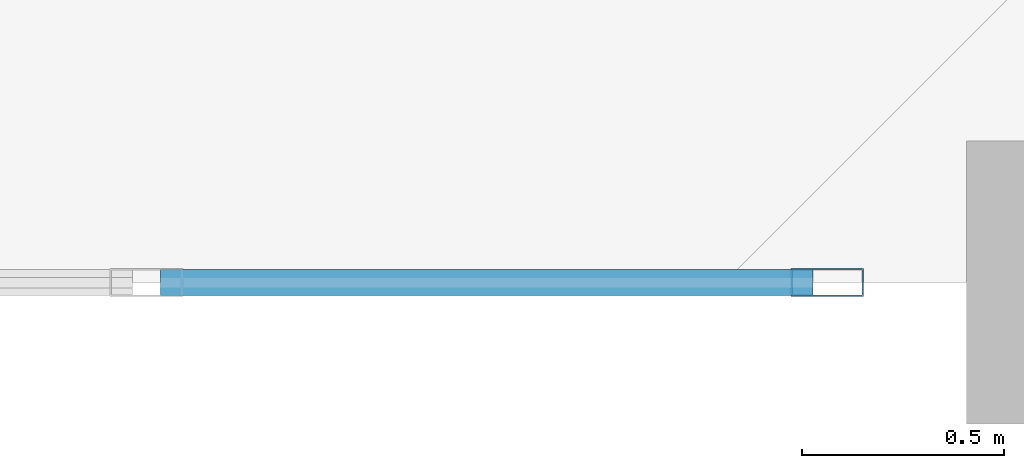
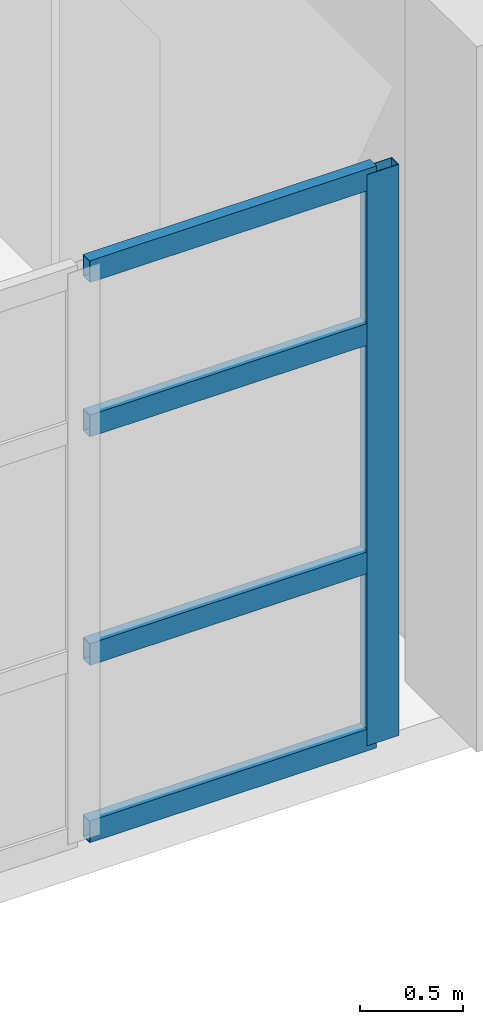
# One storey, part 3 of 18: 5 members, 1 element without a shape of its own.
"""IFC4 building model written with IfcOpenShell, lengths in metres."""

from ifc_helpers import new_model, si_unit, direction, frame, origin, origin_2d, place, context, subcontext, project, spatial, hollow_rectangle, extrude, material, layer, layer_set, material_profile, profile_set, type_object, element, aggregate, save


model = new_model("IFC4")

# Units and contexts
model_context = context("Model", 3, precision=1e-05, world=origin(), true_north=direction((0.0, 1.0)))
body_context = subcontext(model_context, "Body", "Model", "MODEL_VIEW")
ifc_project = project(units=[si_unit("LENGTHUNIT", "METRE"), si_unit("AREAUNIT", "SQUARE_METRE"), si_unit("VOLUMEUNIT", "CUBIC_METRE"), si_unit("PLANEANGLEUNIT", "RADIAN"), si_unit("MASSUNIT", "GRAM", prefix="KILO")], contexts=[model_context])

# Site, building, storey
site_placement = place(None, origin())
site = spatial("IfcSite", under=ifc_project, at=site_placement, CompositionType="ELEMENT")
building_placement = place(site_placement, origin())
building = spatial("IfcBuilding", under=site, at=building_placement, Name="Canggui Botanical Conservatory", CompositionType="ELEMENT")
storey_placement = place(building_placement, frame((0.0, 0.0, 52.800048828125)))
storey = spatial("IfcBuildingStorey", under=building, at=storey_placement, Name="L13", CompositionType="ELEMENT", Elevation=52.800048828125)

# Curtain wall, members
ifc_material = material(Name="Thermally Broken Aluminium", Category="aluminium")
ifc_layer = layer(ifc_material, 0.179931640625, Name="Thermally Broken Aluminium", Category="aluminium")
ifc_layer_set = layer_set([ifc_layer], Name="Thermally Broken Aluminium")
curtain_wall_type = type_object("IfcCurtainWallType", Name="CW-UNIT-A", PredefinedType="USERDEFINED", material=ifc_layer_set)
curtain_wall_placement = place(storey_placement, origin())
curtain_wall = element("IfcCurtainWall", 1, at=curtain_wall_placement, inside=storey, type_object=curtain_wall_type, Name="Facade Curtain Wall CW-TWR-L13-03", ObjectType="UNITISED CURTAIN WALL", PredefinedType="USERDEFINED")
ifc_material_profile_1 = material_profile(ifc_material, hollow_rectangle(XDim=0.070068359375, YDim=0.179931640625, WallThickness=0.00390625, at=origin_2d()), Name="CWM 70x180x4")
ifc_profile_set_1 = profile_set([ifc_material_profile_1], Name="Thermally Broken Aluminium")
member_type_1 = type_object("IfcMemberType", Name="CWM-01", PredefinedType="MULLION", material=ifc_profile_set_1)
member_1_placement = place(storey_placement, frame((161.405029296875, 34.0, 0.0), z_axis=(0.0, 0.0, 1.0), x_axis=(0.0, -1.0, 0.0)))
member_1 = element("IfcMember", 2, at=member_1_placement, type_object=member_type_1, Name="CW-01 mullion 1", PredefinedType="MULLION", context=body_context, shape_type="SweptSolid", body=[
    extrude(hollow_rectangle(XDim=0.070068359375, YDim=0.179931640625, WallThickness=0.00390625, at=origin_2d()), origin(), (0.0, 0.0, 1.0), 3.39990234375),
])
ifc_material_profile_2 = material_profile(ifc_material, hollow_rectangle(XDim=0.06494140625, YDim=0.1298828125, WallThickness=0.00341796875, at=origin_2d()), Name="CWT 65x130x3.5")
ifc_profile_set_2 = profile_set([ifc_material_profile_2], Name="Thermally Broken Aluminium")
member_type_2 = type_object("IfcMemberType", Name="CWT-01", PredefinedType="USERDEFINED", material=ifc_profile_set_2)
member_2_placement = place(storey_placement, frame((161.3701171875, 34.0, 0.032470703125), z_axis=(-1.0, 0.0, 0.0), x_axis=(0.0, -1.0, 0.0)))
member_2 = element("IfcMember", 3, at=member_2_placement, type_object=member_type_2, Name="CW-01 transom 1.1", ObjectType="TRANSOM", PredefinedType="USERDEFINED", context=body_context, shape_type="SweptSolid", body=[
    extrude(hollow_rectangle(XDim=0.06494140625, YDim=0.1298828125, WallThickness=0.00341796875, at=origin_2d()), origin(), (0.0, 0.0, 1.0), 1.615234375),
])
member_3_placement = place(storey_placement, frame((161.3701171875, 34.0, 1.087890625), z_axis=(-1.0, 0.0, 0.0), x_axis=(0.0, -1.0, 0.0)))
member_3 = element("IfcMember", 4, at=member_3_placement, type_object=member_type_2, Name="CW-01 transom 1.2", ObjectType="TRANSOM", PredefinedType="USERDEFINED", context=body_context, shape_type="SweptSolid", body=[
    extrude(hollow_rectangle(XDim=0.06494140625, YDim=0.1298828125, WallThickness=0.00341796875, at=origin_2d()), origin(), (0.0, 0.0, 1.0), 1.615234375),
])
member_4_placement = place(storey_placement, frame((161.3701171875, 34.0, 2.447998046875), z_axis=(-1.0, 0.0, 0.0), x_axis=(0.0, -1.0, 0.0)))
member_4 = element("IfcMember", 5, at=member_4_placement, type_object=member_type_2, Name="CW-01 transom 1.3", ObjectType="TRANSOM", PredefinedType="USERDEFINED", context=body_context, shape_type="SweptSolid", body=[
    extrude(hollow_rectangle(XDim=0.06494140625, YDim=0.1298828125, WallThickness=0.00341796875, at=origin_2d()), origin(), (0.0, 0.0, 1.0), 1.615234375),
])
member_5_placement = place(storey_placement, frame((161.3701171875, 34.0, 3.367431640625), z_axis=(-1.0, 0.0, 0.0), x_axis=(0.0, -1.0, 0.0)))
member_5 = element("IfcMember", 6, at=member_5_placement, type_object=member_type_2, Name="CW-01 transom 1.4", ObjectType="TRANSOM", PredefinedType="USERDEFINED", context=body_context, shape_type="SweptSolid", body=[
    extrude(hollow_rectangle(XDim=0.06494140625, YDim=0.1298828125, WallThickness=0.00341796875, at=origin_2d()), origin(), (0.0, 0.0, 1.0), 1.615234375),
])
aggregate(curtain_wall, [member_1, member_2, member_3, member_4, member_5])

save(model, "model.ifc")
